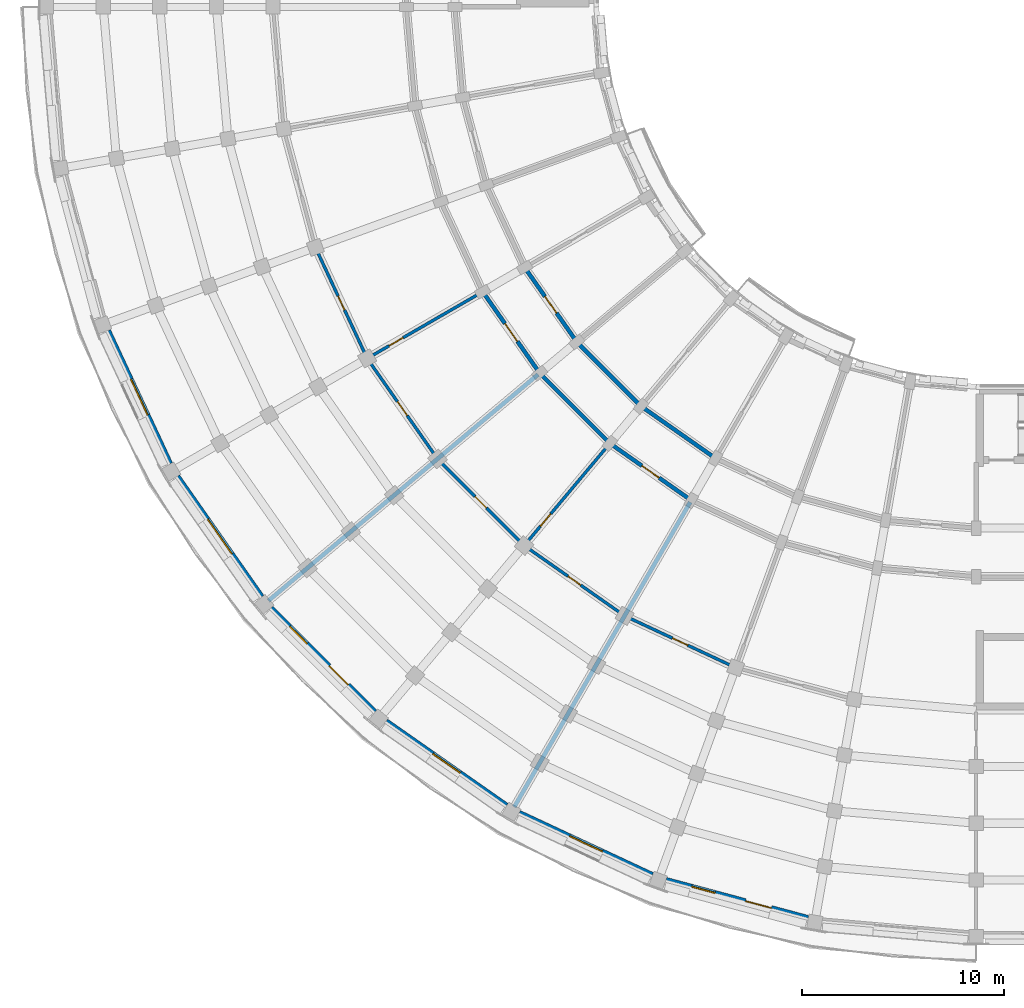
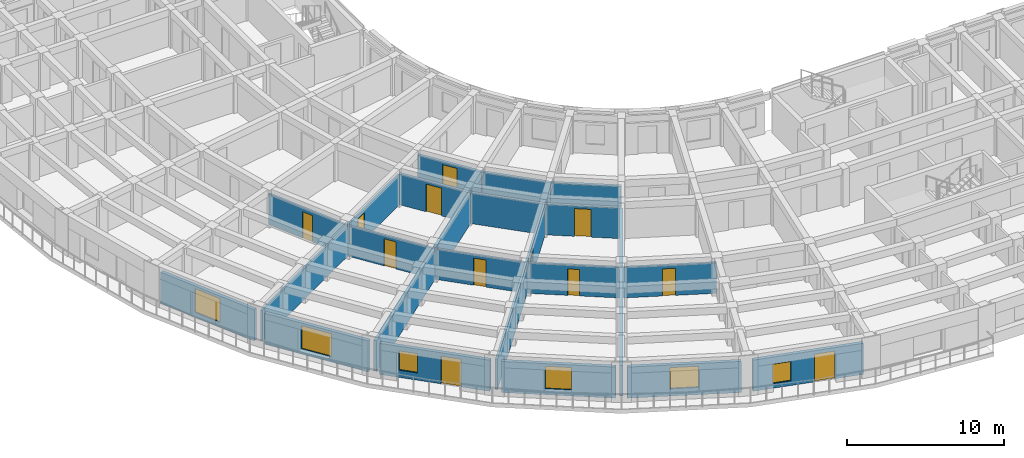
# One storey, part 15 of 57: 21 walls, 12 doors, 6 windows, 18 openings.
"""IFC4 building model written with IfcOpenShell, lengths in metres."""

from ifc_helpers import new_model, si_unit, direction, frame, frame_2d, origin, place, context, subcontext, project, spatial, rectangle, extrude, material, layer, layer_set, type_object, element, fill, save


model = new_model("IFC4")

# Units and contexts
model_context = context("Model", 3, precision=1e-05, world=origin(), true_north=direction((0.0, 1.0)))
body_context = subcontext(model_context, "Body", "Model", "MODEL_VIEW")
ifc_project = project(units=[si_unit("LENGTHUNIT", "METRE"), si_unit("AREAUNIT", "SQUARE_METRE"), si_unit("VOLUMEUNIT", "CUBIC_METRE"), si_unit("PLANEANGLEUNIT", "RADIAN"), si_unit("MASSUNIT", "GRAM", prefix="KILO")], contexts=[model_context])

# Site, building, storey
site_placement = place(None, origin())
site = spatial("IfcSite", under=ifc_project, at=site_placement, CompositionType="ELEMENT")
building_placement = place(site_placement, origin())
building = spatial("IfcBuilding", under=site, at=building_placement, Name="Kiranvali Square Residences", CompositionType="ELEMENT")
storey_placement = place(building_placement, frame((0.0, 0.0, 18.14990234375)))
storey = spatial("IfcBuildingStorey", under=building, at=storey_placement, Name="L05", CompositionType="ELEMENT", Elevation=18.14990234375)

# Wall
ifc_material_1 = material(Name="Autoclaved aerated concrete blockwork masonry", Category="masonry")
ifc_layer_1 = layer(ifc_material_1, 0.199951171875)
ifc_layer_set_1 = layer_set([ifc_layer_1], Name="Autoclaved aerated concrete blockwork masonry")
wall_type_1 = type_object("IfcWallType", Name="WL-COR-200", PredefinedType="STANDARD", material=ifc_layer_set_1)
wall_1_placement = place(storey_placement, frame((35.300048828125, 25.8564453125, 0.0), z_axis=(0.0, 0.0, 1.0), x_axis=(-0.819155404658, 0.573571637217, 0.0)))
element("IfcWall", 1, at=wall_1_placement, inside=storey, type_object=wall_type_1, Name="L05 architectural wall WL-L05-C-CCI-3", PredefinedType="STANDARD", context=body_context, shape_type="SweptSolid", body=[
    extrude(rectangle(XDim=4.497314453125, YDim=0.199951171875, at=frame_2d((2.24853515625, 0.0))), origin(), (0.0, 0.0, 1.0), 2.3720703125),
])

# Wall, opening, door
wall_2_placement = place(storey_placement, frame((34.10009765625, 23.778076171875, 0.0), z_axis=(0.0, 0.0, 1.0), x_axis=(-0.819140911474, 0.573592335331, 0.0)))
wall_2 = element("IfcWall", 2, at=wall_2_placement, inside=storey, type_object=wall_type_1, Name="L05 architectural wall WL-L05-C-CCO-3", PredefinedType="STANDARD", context=body_context, shape_type="SweptSolid", body=[
    extrude(rectangle(XDim=4.915771484375, YDim=0.199951171875, at=frame_2d((2.4580078125, 0.0))), origin(), (0.0, 0.0, 1.0), 2.3720703125),
])
opening_1_placement = place(wall_2_placement, frame((1.937744140625, 0.0, 0.0)))
opening_1 = element("IfcOpeningElement", 3, at=opening_1_placement, cuts=wall_2, Name="Opening FD-APT-60B", PredefinedType="OPENING", context=body_context, shape_type="SweptSolid", body=[
    extrude(rectangle(XDim=1.0400390625, YDim=2.14990234375, at=frame_2d((0.52001953125, 1.074951171875))), frame((0.0, 0.10986328125, 0.0), z_axis=(0.0, -1.0, 0.0), x_axis=(1.0, 0.0, 0.0)), (0.0, 0.0, 1.0), 0.219970703125),
])
ifc_material_2 = material(Name="Fire-rated acoustic hardwood and mineral-core door assembly", Category="wood")
door_type_1 = type_object("IfcDoorType", Name="DR-APT-1040", OperationType="NOTDEFINED", PredefinedType="DOOR", material=ifc_material_2)
door_1_placement = place(opening_1_placement, origin())
door_1 = element("IfcDoor", 4, at=door_1_placement, inside=storey, type_object=door_type_1, Name="L05 door DR-L05-2061 (DR-APT-1040)", OperationType="SINGLE_SWING_LEFT", OverallHeight=2.14990234375, OverallWidth=1.0400390625, PredefinedType="DOOR", context=body_context, shape_type="SweptSolid", body=[
    extrude(rectangle(XDim=1.0400390625, YDim=2.14990234375, at=frame_2d((0.52001953125, 1.074951171875))), frame((0.0, 0.02490234375, 0.0), z_axis=(0.0, -1.0, 0.0), x_axis=(1.0, 0.0, 0.0)), (0.0, 0.0, 1.0), 0.050048828125),
])
fill(opening_1, door_1)

# Walls
wall_3_placement = place(storey_placement, frame((31.615966796875, 28.43603515625, 0.0), z_axis=(0.0, 0.0, 1.0), x_axis=(-0.707106781187, 0.707106781187, 0.0)))
element("IfcWall", 5, at=wall_3_placement, inside=storey, type_object=wall_type_1, Name="L05 architectural wall WL-L05-C-CCI-4", PredefinedType="STANDARD", context=body_context, shape_type="SweptSolid", body=[
    extrude(rectangle(XDim=4.4970703125, YDim=0.199951171875, at=frame_2d((2.24853515625, 0.0))), origin(), (0.0, 0.0, 1.0), 2.3720703125),
])
wall_4_placement = place(storey_placement, frame((30.073486328125, 26.59765625, 0.0), z_axis=(0.0, 0.0, 1.0), x_axis=(-0.707106781187, 0.707106781187, 0.0)))
element("IfcWall", 6, at=wall_4_placement, inside=storey, type_object=wall_type_1, Name="L05 architectural wall WL-L05-C-CCO-4", PredefinedType="STANDARD", context=body_context, shape_type="SweptSolid", body=[
    extrude(rectangle(XDim=4.91552734375, YDim=0.199951171875, at=frame_2d((2.457763671875, 0.0))), origin(), (0.0, 0.0, 1.0), 2.3720703125),
])

# Wall, opening, door
wall_5_placement = place(storey_placement, frame((28.43603515625, 31.615966796875, 0.0), z_axis=(0.0, 0.0, 1.0), x_axis=(-0.573571637217, 0.819155404658, 0.0)))
wall_5 = element("IfcWall", 7, at=wall_5_placement, inside=storey, type_object=wall_type_1, Name="L05 architectural wall WL-L05-C-CCI-5", PredefinedType="STANDARD", context=body_context, shape_type="SweptSolid", body=[
    extrude(rectangle(XDim=4.497314453125, YDim=0.199951171875, at=frame_2d((2.24853515625, 0.0))), origin(), (0.0, 0.0, 1.0), 2.3720703125),
])
opening_2_placement = place(wall_5_placement, frame((1.74853515625, 0.0, 0.0)))
opening_2 = element("IfcOpeningElement", 8, at=opening_2_placement, cuts=wall_5, Name="Opening FD-APT-60", PredefinedType="OPENING", context=body_context, shape_type="SweptSolid", body=[
    extrude(rectangle(XDim=1.0, YDim=2.14990234375, at=frame_2d((0.5, 1.074951171875))), frame((0.0, 0.10986328125, 0.0), z_axis=(0.0, -1.0, 0.0), x_axis=(1.0, 0.0, 0.0)), (0.0, 0.0, 1.0), 0.219970703125),
])
door_type_2 = type_object("IfcDoorType", Name="DR-APT-1000", OperationType="NOTDEFINED", PredefinedType="DOOR", material=ifc_material_2)
door_2_placement = place(opening_2_placement, frame((1.0, 0.0, 0.0), z_axis=(0.0, 0.0, 1.0), x_axis=(-1.0, 0.0, 0.0)))
door_2 = element("IfcDoor", 9, at=door_2_placement, inside=storey, type_object=door_type_2, Name="L05 door DR-L05-2072 (DR-APT-1000)", OperationType="SINGLE_SWING_RIGHT", OverallHeight=2.14990234375, OverallWidth=1.0, PredefinedType="DOOR", context=body_context, shape_type="SweptSolid", body=[
    extrude(rectangle(XDim=1.0, YDim=2.14990234375, at=frame_2d((0.5, 1.074951171875))), frame((0.0, 0.02490234375, 0.0), z_axis=(0.0, -1.0, 0.0), x_axis=(1.0, 0.0, 0.0)), (0.0, 0.0, 1.0), 0.050048828125),
])
fill(opening_2, door_2)

wall_6_placement = place(storey_placement, frame((26.59765625, 30.073486328125, 0.0), z_axis=(0.0, 0.0, 1.0), x_axis=(-0.573592335331, 0.819140911474, 0.0)))
wall_6 = element("IfcWall", 10, at=wall_6_placement, inside=storey, type_object=wall_type_1, Name="L05 architectural wall WL-L05-C-CCO-5", PredefinedType="STANDARD", context=body_context, shape_type="SweptSolid", body=[
    extrude(rectangle(XDim=4.915771484375, YDim=0.199951171875, at=frame_2d((2.4580078125, 0.0))), origin(), (0.0, 0.0, 1.0), 2.3720703125),
])
opening_3_placement = place(wall_6_placement, frame((1.917724609375, 0.0, 0.0)))
opening_3 = element("IfcOpeningElement", 11, at=opening_3_placement, cuts=wall_6, Name="Opening FD-APT-60C", PredefinedType="OPENING", context=body_context, shape_type="SweptSolid", body=[
    extrude(rectangle(XDim=1.080078125, YDim=2.14990234375, at=frame_2d((0.5400390625, 1.074951171875))), frame((0.0, 0.10986328125, 0.0), z_axis=(0.0, -1.0, 0.0), x_axis=(1.0, 0.0, 0.0)), (0.0, 0.0, 1.0), 0.219970703125),
])
door_type_3 = type_object("IfcDoorType", Name="DR-APT-1080", OperationType="NOTDEFINED", PredefinedType="DOOR", material=ifc_material_2)
door_3_placement = place(opening_3_placement, frame((1.080078125, 0.0, 0.0), z_axis=(0.0, 0.0, 1.0), x_axis=(-1.0, 0.0, 0.0)))
door_3 = element("IfcDoor", 12, at=door_3_placement, inside=storey, type_object=door_type_3, Name="L05 door DR-L05-2064 (DR-APT-1080)", OperationType="SINGLE_SWING_RIGHT", OverallHeight=2.14990234375, OverallWidth=1.080078125, PredefinedType="DOOR", context=body_context, shape_type="SweptSolid", body=[
    extrude(rectangle(XDim=1.080078125, YDim=2.14990234375, at=frame_2d((0.5400390625, 1.074951171875))), frame((0.0, 0.02490234375, 0.0), z_axis=(0.0, -1.0, 0.0), x_axis=(1.0, 0.0, 0.0)), (0.0, 0.0, 1.0), 0.050048828125),
])
fill(opening_3, door_3)

# Walls
ifc_layer_2 = layer(ifc_material_1, 0.219970703125)
ifc_layer_set_2 = layer_set([ifc_layer_2], Name="Autoclaved aerated concrete blockwork masonry")
wall_type_2 = type_object("IfcWallType", Name="WL-DEM-220", PredefinedType="STANDARD", material=ifc_layer_set_2)
for number, where, z_axis, x_axis, name in (
    (13, (34.050048828125, 23.69140625, 0.0), (0.0, 0.0, 1.0), (-0.499997843263, -0.866026648973, 0.0), "L05 architectural wall WL-L05-C-RADO-3"),
    (14, (26.52099609375, 30.009033203125, 0.0), (0.0, 0.0, 1.0), (-0.766046835987, -0.642784757967, 0.0), "L05 architectural wall WL-L05-C-RADO-5"),
):
    element("IfcWall", number, at=place(storey_placement, frame(where, z_axis=z_axis, x_axis=x_axis)), inside=storey, type_object=wall_type_2, Name=name, PredefinedType="STANDARD", context=body_context, shape_type="SweptSolid", body=[
        extrude(rectangle(XDim=17.419921875, YDim=0.219970703125, at=frame_2d((8.7099609375, 0.0))), origin(), (0.0, 0.0, 1.0), 2.3720703125),
    ])

# Wall, openings, door, window
ifc_material_3 = material(Name="Breathable lime-rendered clay brick masonry", Category="masonry")
ifc_layer_3 = layer(ifc_material_3, 0.25)
ifc_layer_set_3 = layer_set([ifc_layer_3], Name="Breathable lime-rendered clay brick masonry")
wall_type_3 = type_object("IfcWallType", Name="WL-EXT-250", PredefinedType="STANDARD", material=ifc_layer_set_3)
wall_7_placement = place(storey_placement, frame((39.881591796875, 3.116943359375, 0.0), z_axis=(0.0, 0.0, 1.0), x_axis=(-0.965930355787, 0.258802140196, 0.0)))
wall_7 = element("IfcWall", 15, at=wall_7_placement, inside=storey, type_object=wall_type_3, Name="L05 exterior wall C-L05-CRV-01", PredefinedType="STANDARD", context=body_context, shape_type="SweptSolid", body=[
    extrude(rectangle(XDim=7.2666015625, YDim=0.25, at=frame_2d((3.63330078125, 0.0))), origin(), (0.0, 0.0, 1.0), 2.412109375),
])
opening_4_placement = place(wall_7_placement, frame((4.765625, 0.0, 0.362060546875)))
opening_4 = element("IfcOpeningElement", 16, at=opening_4_placement, cuts=wall_7, Name="Opening W-06", PredefinedType="OPENING", context=body_context, shape_type="SweptSolid", body=[
    extrude(rectangle(XDim=1.199951171875, YDim=1.5, at=frame_2d((0.60009765625, 0.75))), frame((0.0, 0.135009765625, 0.0), z_axis=(0.0, -1.0, 0.0), x_axis=(1.0, 0.0, 0.0)), (0.0, 0.0, 1.0), 0.27001953125),
])
opening_5_placement = place(wall_7_placement, frame((1.88330078125, 0.0, 0.0)))
opening_5 = element("IfcOpeningElement", 17, at=opening_5_placement, cuts=wall_7, Name="Opening ED-BAL-3", PredefinedType="OPENING", context=body_context, shape_type="SweptSolid", body=[
    extrude(rectangle(XDim=1.320068359375, YDim=2.14990234375, at=frame_2d((0.66015625, 1.074951171875))), frame((0.0, 0.135009765625, 0.0), z_axis=(0.0, -1.0, 0.0), x_axis=(1.0, 0.0, 0.0)), (0.0, 0.0, 1.0), 0.27001953125),
])
ifc_material_4 = material(Name="Anodised bronze aluminium framing", Category="aluminium")
door_type_4 = type_object("IfcDoorType", Name="DR-BAL-1320", OperationType="NOTDEFINED", PredefinedType="DOOR", material=ifc_material_4)
door_4_placement = place(opening_5_placement, origin())
door_4 = element("IfcDoor", 18, at=door_4_placement, inside=storey, type_object=door_type_4, Name="L05 balcony terrace door", OperationType="SINGLE_SWING_LEFT", OverallHeight=2.14990234375, OverallWidth=1.320068359375, PredefinedType="DOOR", context=body_context, shape_type="SweptSolid", body=[
    extrude(rectangle(XDim=1.320068359375, YDim=2.14990234375, at=frame_2d((0.66015625, 1.074951171875))), frame((0.0, 0.02490234375, 0.0), z_axis=(0.0, -1.0, 0.0), x_axis=(1.0, 0.0, 0.0)), (0.0, 0.0, 1.0), 0.050048828125),
])
fill(opening_5, door_4)
ifc_material_5 = material(Name="Solar-control low-e double glazing", Category="glass")
window_type_1 = type_object("IfcWindowType", Name="WIN-RES-1200x1500", PartitioningType="SINGLE_PANEL", PredefinedType="WINDOW", material=ifc_material_5)
window_1_placement = place(opening_4_placement, origin())
window_1 = element("IfcWindow", 19, at=window_1_placement, inside=storey, type_object=window_type_1, Name="L05 recessed window C-L05-CRV-01", OverallHeight=1.5, OverallWidth=1.199951171875, PartitioningType="SINGLE_PANEL", PredefinedType="WINDOW", context=body_context, shape_type="SweptSolid", body=[
    extrude(rectangle(XDim=1.199951171875, YDim=1.5, at=frame_2d((0.60009765625, 0.75))), frame((0.0, 0.030029296875, 0.0), z_axis=(0.0, -1.0, 0.0), x_axis=(1.0, 0.0, 0.0)), (0.0, 0.0, 1.0), 0.06005859375),
])
fill(opening_4, window_1)

# Wall, opening, window
wall_8_placement = place(storey_placement, frame((32.17919921875, 5.246337890625, 0.0), z_axis=(0.0, 0.0, 1.0), x_axis=(-0.90630327107, 0.422627946127, 0.0)))
wall_8 = element("IfcWall", 20, at=wall_8_placement, inside=storey, type_object=wall_type_3, Name="L05 exterior wall C-L05-CRV-02", PredefinedType="STANDARD", context=body_context, shape_type="SweptSolid", body=[
    extrude(rectangle(XDim=7.2666015625, YDim=0.25, at=frame_2d((3.63330078125, 0.0))), origin(), (0.0, 0.0, 1.0), 2.412109375),
])
opening_6_placement = place(wall_8_placement, frame((2.7333984375, 0.0, 0.56201171875)))
opening_6 = element("IfcOpeningElement", 21, at=opening_6_placement, cuts=wall_8, Name="Opening W-04", PredefinedType="OPENING", context=body_context, shape_type="SweptSolid", body=[
    extrude(rectangle(XDim=1.800048828125, YDim=1.64990234375, at=frame_2d((0.89990234375, 0.824951171875))), frame((0.0, 0.135009765625, 0.0), z_axis=(0.0, -1.0, 0.0), x_axis=(1.0, 0.0, 0.0)), (0.0, 0.0, 1.0), 0.27001953125),
])
window_type_2 = type_object("IfcWindowType", Name="WIN-RES-1800x1650", PartitioningType="DOUBLE_PANEL_VERTICAL", PredefinedType="WINDOW", material=ifc_material_5)
window_2_placement = place(opening_6_placement, origin())
window_2 = element("IfcWindow", 22, at=window_2_placement, inside=storey, type_object=window_type_2, Name="L05 recessed window C-L05-CRV-02", OverallHeight=1.64990234375, OverallWidth=1.800048828125, PartitioningType="DOUBLE_PANEL_VERTICAL", PredefinedType="WINDOW", context=body_context, shape_type="SweptSolid", body=[
    extrude(rectangle(XDim=1.800048828125, YDim=1.64990234375, at=frame_2d((0.89990234375, 0.824951171875))), frame((0.0, 0.030029296875, 0.0), z_axis=(0.0, -1.0, 0.0), x_axis=(1.0, 0.0, 0.0)), (0.0, 0.0, 1.0), 0.06005859375),
])
fill(opening_6, window_2)

wall_9_placement = place(storey_placement, frame((24.9638671875, 8.680908203125, 0.0), z_axis=(0.0, 0.0, 1.0), x_axis=(-0.819159308599, 0.573566061701, 0.0)))
wall_9 = element("IfcWall", 23, at=wall_9_placement, inside=storey, type_object=wall_type_3, Name="L05 exterior wall C-L05-CRV-03", PredefinedType="STANDARD", context=body_context, shape_type="SweptSolid", body=[
    extrude(rectangle(XDim=7.266845703125, YDim=0.25, at=frame_2d((3.63330078125, 0.0))), origin(), (0.0, 0.0, 1.0), 2.412109375),
])
opening_7_placement = place(wall_9_placement, frame((2.808349609375, 0.0, 0.4619140625)))
opening_7 = element("IfcOpeningElement", 24, at=opening_7_placement, cuts=wall_9, Name="Opening W-13", PredefinedType="OPENING", context=body_context, shape_type="SweptSolid", body=[
    extrude(rectangle(XDim=1.64990234375, YDim=1.75, at=frame_2d((0.824951171875, 0.875))), frame((0.0, 0.135009765625, 0.0), z_axis=(0.0, -1.0, 0.0), x_axis=(1.0, 0.0, 0.0)), (0.0, 0.0, 1.0), 0.27001953125),
])
window_type_3 = type_object("IfcWindowType", Name="WIN-RES-1650x1750", PartitioningType="DOUBLE_PANEL_VERTICAL", PredefinedType="WINDOW", material=ifc_material_5)
window_3_placement = place(opening_7_placement, origin())
window_3 = element("IfcWindow", 25, at=window_3_placement, inside=storey, type_object=window_type_3, Name="L05 recessed window C-L05-CRV-03", OverallHeight=1.75, OverallWidth=1.64990234375, PartitioningType="DOUBLE_PANEL_VERTICAL", PredefinedType="WINDOW", context=body_context, shape_type="SweptSolid", body=[
    extrude(rectangle(XDim=1.64990234375, YDim=1.75, at=frame_2d((0.824951171875, 0.875))), frame((0.0, 0.030029296875, 0.0), z_axis=(0.0, -1.0, 0.0), x_axis=(1.0, 0.0, 0.0)), (0.0, 0.0, 1.0), 0.06005859375),
])
fill(opening_7, window_3)

# Wall, openings, door, window
wall_10_placement = place(storey_placement, frame((18.454345703125, 13.316162109375, 0.0), z_axis=(0.0, 0.0, 1.0), x_axis=(-0.707106781187, 0.707106781187, 0.0)))
wall_10 = element("IfcWall", 26, at=wall_10_placement, inside=storey, type_object=wall_type_3, Name="L05 exterior wall C-L05-CRV-04", PredefinedType="STANDARD", context=body_context, shape_type="SweptSolid", body=[
    extrude(rectangle(XDim=7.2666015625, YDim=0.25, at=frame_2d((3.63330078125, 0.0))), origin(), (0.0, 0.0, 1.0), 2.412109375),
])
opening_8_placement = place(wall_10_placement, frame((4.765625, 0.0, 0.56201171875)))
opening_8 = element("IfcOpeningElement", 27, at=opening_8_placement, cuts=wall_10, Name="Opening W-06", PredefinedType="OPENING", context=body_context, shape_type="SweptSolid", body=[
    extrude(rectangle(XDim=1.199951171875, YDim=1.5, at=frame_2d((0.60009765625, 0.75))), frame((0.0, 0.135009765625, 0.0), z_axis=(0.0, -1.0, 0.0), x_axis=(1.0, 0.0, 0.0)), (0.0, 0.0, 1.0), 0.27001953125),
])
opening_9_placement = place(wall_10_placement, frame((1.88330078125, 0.0, 0.0)))
opening_9 = element("IfcOpeningElement", 28, at=opening_9_placement, cuts=wall_10, Name="Opening ED-BAL-3", PredefinedType="OPENING", context=body_context, shape_type="SweptSolid", body=[
    extrude(rectangle(XDim=1.320068359375, YDim=2.14990234375, at=frame_2d((0.66015625, 1.074951171875))), frame((0.0, 0.135009765625, 0.0), z_axis=(0.0, -1.0, 0.0), x_axis=(1.0, 0.0, 0.0)), (0.0, 0.0, 1.0), 0.27001953125),
])
door_5_placement = place(opening_9_placement, origin())
door_5 = element("IfcDoor", 29, at=door_5_placement, inside=storey, type_object=door_type_4, Name="L05 balcony terrace door", OperationType="SINGLE_SWING_RIGHT", OverallHeight=2.14990234375, OverallWidth=1.320068359375, PredefinedType="DOOR", context=body_context, shape_type="SweptSolid", body=[
    extrude(rectangle(XDim=1.320068359375, YDim=2.14990234375, at=frame_2d((0.66015625, 1.074951171875))), frame((0.0, 0.02490234375, 0.0), z_axis=(0.0, -1.0, 0.0), x_axis=(1.0, 0.0, 0.0)), (0.0, 0.0, 1.0), 0.050048828125),
])
fill(opening_9, door_5)
window_4_placement = place(opening_8_placement, origin())
window_4 = element("IfcWindow", 30, at=window_4_placement, inside=storey, type_object=window_type_1, Name="L05 recessed window C-L05-CRV-04", OverallHeight=1.5, OverallWidth=1.199951171875, PartitioningType="SINGLE_PANEL", PredefinedType="WINDOW", context=body_context, shape_type="SweptSolid", body=[
    extrude(rectangle(XDim=1.199951171875, YDim=1.5, at=frame_2d((0.60009765625, 0.75))), frame((0.0, 0.030029296875, 0.0), z_axis=(0.0, -1.0, 0.0), x_axis=(1.0, 0.0, 0.0)), (0.0, 0.0, 1.0), 0.06005859375),
])
fill(opening_8, window_4)

# Wall, opening, window
wall_11_placement = place(storey_placement, frame((12.848876953125, 19.01123046875, 0.0), z_axis=(0.0, 0.0, 1.0), x_axis=(-0.573566061701, 0.819159308599, 0.0)))
wall_11 = element("IfcWall", 31, at=wall_11_placement, inside=storey, type_object=wall_type_3, Name="L05 exterior wall C-L05-CRV-05", PredefinedType="STANDARD", context=body_context, shape_type="SweptSolid", body=[
    extrude(rectangle(XDim=7.266845703125, YDim=0.25, at=frame_2d((3.63330078125, 0.0))), origin(), (0.0, 0.0, 1.0), 2.412109375),
])
opening_10_placement = place(wall_11_placement, frame((2.583251953125, 0.0, 0.412109375)))
opening_10 = element("IfcOpeningElement", 32, at=opening_10_placement, cuts=wall_11, Name="Opening W-03", PredefinedType="OPENING", context=body_context, shape_type="SweptSolid", body=[
    extrude(rectangle(XDim=2.10009765625, YDim=1.800048828125, at=frame_2d((1.050048828125, 0.89990234375))), frame((0.0, 0.135009765625, 0.0), z_axis=(0.0, -1.0, 0.0), x_axis=(1.0, 0.0, 0.0)), (0.0, 0.0, 1.0), 0.27001953125),
])
window_type_4 = type_object("IfcWindowType", Name="WIN-RES-2100x1800", PartitioningType="TRIPLE_PANEL_VERTICAL", PredefinedType="WINDOW", material=ifc_material_5)
window_5_placement = place(opening_10_placement, origin())
window_5 = element("IfcWindow", 33, at=window_5_placement, inside=storey, type_object=window_type_4, Name="L05 recessed window C-L05-CRV-05", OverallHeight=1.800048828125, OverallWidth=2.10009765625, PartitioningType="TRIPLE_PANEL_VERTICAL", PredefinedType="WINDOW", context=body_context, shape_type="SweptSolid", body=[
    extrude(rectangle(XDim=2.10009765625, YDim=1.800048828125, at=frame_2d((1.050048828125, 0.89990234375))), frame((0.0, 0.030029296875, 0.0), z_axis=(0.0, -1.0, 0.0), x_axis=(1.0, 0.0, 0.0)), (0.0, 0.0, 1.0), 0.06005859375),
])
fill(opening_10, window_5)

wall_12_placement = place(storey_placement, frame((8.3173828125, 25.593505859375, 0.0), z_axis=(0.0, 0.0, 1.0), x_axis=(-0.422627946127, 0.90630327107, 0.0)))
wall_12 = element("IfcWall", 34, at=wall_12_placement, inside=storey, type_object=wall_type_3, Name="L05 exterior wall C-L05-CRV-06", PredefinedType="STANDARD", context=body_context, shape_type="SweptSolid", body=[
    extrude(rectangle(XDim=7.2666015625, YDim=0.25, at=frame_2d((3.63330078125, 0.0))), origin(), (0.0, 0.0, 1.0), 2.412109375),
])
opening_11_placement = place(wall_12_placement, frame((2.658447265625, 0.0, 0.362060546875)))
opening_11 = element("IfcOpeningElement", 35, at=opening_11_placement, cuts=wall_12, Name="Opening W-12", PredefinedType="OPENING", context=body_context, shape_type="SweptSolid", body=[
    extrude(rectangle(XDim=1.949951171875, YDim=1.85009765625, at=frame_2d((0.97509765625, 0.925048828125))), frame((0.0, 0.135009765625, 0.0), z_axis=(0.0, -1.0, 0.0), x_axis=(1.0, 0.0, 0.0)), (0.0, 0.0, 1.0), 0.27001953125),
])
window_type_5 = type_object("IfcWindowType", Name="WIN-RES-1950x1850", PartitioningType="DOUBLE_PANEL_VERTICAL", PredefinedType="WINDOW", material=ifc_material_5)
window_6_placement = place(opening_11_placement, origin())
window_6 = element("IfcWindow", 36, at=window_6_placement, inside=storey, type_object=window_type_5, Name="L05 recessed window C-L05-CRV-06", OverallHeight=1.85009765625, OverallWidth=1.949951171875, PartitioningType="DOUBLE_PANEL_VERTICAL", PredefinedType="WINDOW", context=body_context, shape_type="SweptSolid", body=[
    extrude(rectangle(XDim=1.949951171875, YDim=1.85009765625, at=frame_2d((0.97509765625, 0.925048828125))), frame((0.0, 0.030029296875, 0.0), z_axis=(0.0, -1.0, 0.0), x_axis=(1.0, 0.0, 0.0)), (0.0, 0.0, 1.0), 0.06005859375),
])
fill(opening_11, window_6)

# Wall, opening, door
ifc_material_6 = material(Name="Acoustic gypsum board drylined partition", Category="gypsum")
ifc_layer_4 = layer(ifc_material_6, 0.14990234375)
ifc_layer_set_4 = layer_set([ifc_layer_4], Name="Acoustic gypsum board drylined partition")
wall_type_4 = type_object("IfcWallType", Name="WL-PRT-150", PredefinedType="PARTITIONING", material=ifc_layer_set_4)
wall_13_placement = place(storey_placement, frame((30.009033203125, 26.52099609375, 0.0), z_axis=(0.0, 0.0, 1.0), x_axis=(-0.642784757967, -0.766046835987, 0.0)))
wall_13 = element("IfcWall", 37, at=wall_13_placement, inside=storey, type_object=wall_type_4, Name="L05 architectural wall WL-L05-C-RADO-4", PredefinedType="PARTITIONING", context=body_context, shape_type="SweptSolid", body=[
    extrude(rectangle(XDim=17.419921875, YDim=0.14990234375, at=frame_2d((8.7099609375, 0.0))), origin(), (0.0, 0.0, 1.0), 2.3720703125),
])
opening_12_placement = place(wall_13_placement, frame((4.44970703125, 0.0, 0.0)))
opening_12 = element("IfcOpeningElement", 38, at=opening_12_placement, cuts=wall_13, Name="Opening ID-WET", PredefinedType="OPENING", context=body_context, shape_type="SweptSolid", body=[
    extrude(rectangle(XDim=0.800048828125, YDim=2.10009765625, at=frame_2d((0.39990234375, 1.050048828125))), frame((0.0, 0.0849609375, 0.0), z_axis=(0.0, -1.0, 0.0), x_axis=(1.0, 0.0, 0.0)), (0.0, 0.0, 1.0), 0.169921875),
])
ifc_material_7 = material(Name="Solid seasoned teak hardwood joinery", Category="wood")
door_type_5 = type_object("IfcDoorType", Name="DR-WET-800", OperationType="NOTDEFINED", PredefinedType="DOOR", material=ifc_material_7)
door_6_placement = place(opening_12_placement, frame((0.800048828125, 0.0, 0.0), z_axis=(0.0, 0.0, 1.0), x_axis=(-1.0, 0.0, 0.0)))
door_6 = element("IfcDoor", 39, at=door_6_placement, inside=storey, type_object=door_type_5, Name="L05 door DR-L05-2052 (DR-WET-800)", OperationType="SINGLE_SWING_RIGHT", OverallHeight=2.10009765625, OverallWidth=0.800048828125, PredefinedType="DOOR", context=body_context, shape_type="SweptSolid", body=[
    extrude(rectangle(XDim=0.800048828125, YDim=2.10009765625, at=frame_2d((0.39990234375, 1.050048828125))), frame((0.0, 0.02490234375, 0.0), z_axis=(0.0, -1.0, 0.0), x_axis=(1.0, 0.0, 0.0)), (0.0, 0.0, 1.0), 0.050048828125),
])
fill(opening_12, door_6)

wall_14_placement = place(storey_placement, frame((23.69140625, 34.050048828125, 0.0), z_axis=(0.0, 0.0, 1.0), x_axis=(-0.866026648973, -0.499997843263, 0.0)))
wall_14 = element("IfcWall", 40, at=wall_14_placement, inside=storey, type_object=wall_type_4, Name="L05 architectural wall WL-L05-C-RADO-6", PredefinedType="PARTITIONING", context=body_context, shape_type="SweptSolid", body=[
    extrude(rectangle(XDim=17.419921875, YDim=0.14990234375, at=frame_2d((8.7099609375, 0.0))), origin(), (0.0, 0.0, 1.0), 2.3720703125),
])
opening_13_placement = place(wall_14_placement, frame((4.44970703125, 0.0, 0.0)))
opening_13 = element("IfcOpeningElement", 41, at=opening_13_placement, cuts=wall_14, Name="Opening ID-WET", PredefinedType="OPENING", context=body_context, shape_type="SweptSolid", body=[
    extrude(rectangle(XDim=0.800048828125, YDim=2.10009765625, at=frame_2d((0.39990234375, 1.050048828125))), frame((0.0, 0.0849609375, 0.0), z_axis=(0.0, -1.0, 0.0), x_axis=(1.0, 0.0, 0.0)), (0.0, 0.0, 1.0), 0.169921875),
])
door_7_placement = place(opening_13_placement, frame((0.800048828125, 0.0, 0.0), z_axis=(0.0, 0.0, 1.0), x_axis=(-1.0, 0.0, 0.0)))
door_7 = element("IfcDoor", 42, at=door_7_placement, inside=storey, type_object=door_type_5, Name="L05 door DR-L05-2054 (DR-WET-800)", OperationType="SINGLE_SWING_RIGHT", OverallHeight=2.10009765625, OverallWidth=0.800048828125, PredefinedType="DOOR", context=body_context, shape_type="SweptSolid", body=[
    extrude(rectangle(XDim=0.800048828125, YDim=2.10009765625, at=frame_2d((0.39990234375, 1.050048828125))), frame((0.0, 0.02490234375, 0.0), z_axis=(0.0, -1.0, 0.0), x_axis=(1.0, 0.0, 0.0)), (0.0, 0.0, 1.0), 0.050048828125),
])
fill(opening_13, door_7)

ifc_layer_5 = layer(ifc_material_1, 0.14990234375)
ifc_layer_set_5 = layer_set([ifc_layer_5], Name="Autoclaved aerated concrete blockwork masonry")
wall_type_5 = type_object("IfcWallType", Name="WL-WET-150", PredefinedType="PLUMBINGWALL", material=ifc_layer_set_5)
wall_15_placement = place(storey_placement, frame((36.297607421875, 15.498779296875, 0.0), z_axis=(0.0, 0.0, 1.0), x_axis=(-0.906312656069, 0.42260781991, 0.0)))
wall_15 = element("IfcWall", 43, at=wall_15_placement, inside=storey, type_object=wall_type_5, Name="L05 architectural wall WL-L05-C-CWET-2", PredefinedType="PLUMBINGWALL", context=body_context, shape_type="SweptSolid", body=[
    extrude(rectangle(XDim=6.06591796875, YDim=0.14990234375, at=frame_2d((3.032958984375, 0.0))), origin(), (0.0, 0.0, 1.0), 2.3720703125),
])
opening_14_placement = place(wall_15_placement, frame((2.613037109375, 0.0, 0.0)))
opening_14 = element("IfcOpeningElement", 44, at=opening_14_placement, cuts=wall_15, Name="Opening ID-WET2", PredefinedType="OPENING", context=body_context, shape_type="SweptSolid", body=[
    extrude(rectangle(XDim=0.840087890625, YDim=2.10009765625, at=frame_2d((0.419921875, 1.050048828125))), frame((0.0, 0.0849609375, 0.0), z_axis=(0.0, -1.0, 0.0), x_axis=(1.0, 0.0, 0.0)), (0.0, 0.0, 1.0), 0.169921875),
])
door_type_6 = type_object("IfcDoorType", Name="DR-WET-840", OperationType="NOTDEFINED", PredefinedType="DOOR", material=ifc_material_7)
door_8_placement = place(opening_14_placement, frame((0.840087890625, 0.0, 0.0), z_axis=(0.0, 0.0, 1.0), x_axis=(-1.0, 0.0, 0.0)))
door_8 = element("IfcDoor", 45, at=door_8_placement, inside=storey, type_object=door_type_6, Name="L05 door DR-L05-2060 (DR-WET-840)", OperationType="SINGLE_SWING_RIGHT", OverallHeight=2.10009765625, OverallWidth=0.840087890625, PredefinedType="DOOR", context=body_context, shape_type="SweptSolid", body=[
    extrude(rectangle(XDim=0.840087890625, YDim=2.10009765625, at=frame_2d((0.419921875, 1.050048828125))), frame((0.0, 0.02490234375, 0.0), z_axis=(0.0, -1.0, 0.0), x_axis=(1.0, 0.0, 0.0)), (0.0, 0.0, 1.0), 0.050048828125),
])
fill(opening_14, door_8)

wall_16_placement = place(storey_placement, frame((30.800048828125, 18.062255859375, 0.0), z_axis=(0.0, 0.0, 1.0), x_axis=(-0.81913926159, 0.573594691504, 0.0)))
wall_16 = element("IfcWall", 46, at=wall_16_placement, inside=storey, type_object=wall_type_5, Name="L05 architectural wall WL-L05-C-CWET-3", PredefinedType="PLUMBINGWALL", context=body_context, shape_type="SweptSolid", body=[
    extrude(rectangle(XDim=6.066162109375, YDim=0.14990234375, at=frame_2d((3.033203125, 0.0))), origin(), (0.0, 0.0, 1.0), 2.3720703125),
])
opening_15_placement = place(wall_16_placement, frame((2.653076171875, 0.0, 0.0)))
opening_15 = element("IfcOpeningElement", 47, at=opening_15_placement, cuts=wall_16, Name="Opening ID-WET0", PredefinedType="OPENING", context=body_context, shape_type="SweptSolid", body=[
    extrude(rectangle(XDim=0.760009765625, YDim=2.050048828125, at=frame_2d((0.3798828125, 1.02490234375))), frame((0.0, 0.0849609375, 0.0), z_axis=(0.0, -1.0, 0.0), x_axis=(1.0, 0.0, 0.0)), (0.0, 0.0, 1.0), 0.169921875),
])
door_type_7 = type_object("IfcDoorType", Name="DR-WET-760", OperationType="NOTDEFINED", PredefinedType="DOOR", material=ifc_material_7)
door_9_placement = place(opening_15_placement, frame((0.760009765625, 0.0, 0.0), z_axis=(0.0, 0.0, 1.0), x_axis=(-1.0, 0.0, 0.0)))
door_9 = element("IfcDoor", 48, at=door_9_placement, inside=storey, type_object=door_type_7, Name="L05 door DR-L05-2062 (DR-WET-760)", OperationType="SINGLE_SWING_RIGHT", OverallHeight=2.050048828125, OverallWidth=0.760009765625, PredefinedType="DOOR", context=body_context, shape_type="SweptSolid", body=[
    extrude(rectangle(XDim=0.760009765625, YDim=2.050048828125, at=frame_2d((0.3798828125, 1.02490234375))), frame((0.0, 0.02490234375, 0.0), z_axis=(0.0, -1.0, 0.0), x_axis=(1.0, 0.0, 0.0)), (0.0, 0.0, 1.0), 0.050048828125),
])
fill(opening_15, door_9)

wall_17_placement = place(storey_placement, frame((25.8310546875, 21.541748046875, 0.0), z_axis=(0.0, 0.0, 1.0), x_axis=(-0.707106781187, 0.707106781187, 0.0)))
wall_17 = element("IfcWall", 49, at=wall_17_placement, inside=storey, type_object=wall_type_5, Name="L05 architectural wall WL-L05-C-CWET-4", PredefinedType="PLUMBINGWALL", context=body_context, shape_type="SweptSolid", body=[
    extrude(rectangle(XDim=6.06591796875, YDim=0.14990234375, at=frame_2d((3.032958984375, 0.0))), origin(), (0.0, 0.0, 1.0), 2.3720703125),
])
opening_16_placement = place(wall_17_placement, frame((2.633056640625, 0.0, 0.0)))
opening_16 = element("IfcOpeningElement", 50, at=opening_16_placement, cuts=wall_17, Name="Opening ID-WET", PredefinedType="OPENING", context=body_context, shape_type="SweptSolid", body=[
    extrude(rectangle(XDim=0.800048828125, YDim=2.10009765625, at=frame_2d((0.39990234375, 1.050048828125))), frame((0.0, 0.0849609375, 0.0), z_axis=(0.0, -1.0, 0.0), x_axis=(1.0, 0.0, 0.0)), (0.0, 0.0, 1.0), 0.169921875),
])
door_10_placement = place(opening_16_placement, origin())
door_10 = element("IfcDoor", 51, at=door_10_placement, inside=storey, type_object=door_type_5, Name="L05 door DR-L05-2063 (DR-WET-800)", OperationType="SINGLE_SWING_LEFT", OverallHeight=2.10009765625, OverallWidth=0.800048828125, PredefinedType="DOOR", context=body_context, shape_type="SweptSolid", body=[
    extrude(rectangle(XDim=0.800048828125, YDim=2.10009765625, at=frame_2d((0.39990234375, 1.050048828125))), frame((0.0, 0.02490234375, 0.0), z_axis=(0.0, -1.0, 0.0), x_axis=(1.0, 0.0, 0.0)), (0.0, 0.0, 1.0), 0.050048828125),
])
fill(opening_16, door_10)

wall_18_placement = place(storey_placement, frame((21.541748046875, 25.8310546875, 0.0), z_axis=(0.0, 0.0, 1.0), x_axis=(-0.573594691504, 0.81913926159, 0.0)))
wall_18 = element("IfcWall", 52, at=wall_18_placement, inside=storey, type_object=wall_type_5, Name="L05 architectural wall WL-L05-C-CWET-5", PredefinedType="PLUMBINGWALL", context=body_context, shape_type="SweptSolid", body=[
    extrude(rectangle(XDim=6.066162109375, YDim=0.14990234375, at=frame_2d((3.033203125, 0.0))), origin(), (0.0, 0.0, 1.0), 2.3720703125),
])
opening_17_placement = place(wall_18_placement, frame((2.613037109375, 0.0, 0.0)))
opening_17 = element("IfcOpeningElement", 53, at=opening_17_placement, cuts=wall_18, Name="Opening ID-WET2", PredefinedType="OPENING", context=body_context, shape_type="SweptSolid", body=[
    extrude(rectangle(XDim=0.840087890625, YDim=2.10009765625, at=frame_2d((0.419921875, 1.050048828125))), frame((0.0, 0.0849609375, 0.0), z_axis=(0.0, -1.0, 0.0), x_axis=(1.0, 0.0, 0.0)), (0.0, 0.0, 1.0), 0.169921875),
])
door_11_placement = place(opening_17_placement, origin())
door_11 = element("IfcDoor", 54, at=door_11_placement, inside=storey, type_object=door_type_6, Name="L05 door DR-L05-2065 (DR-WET-840)", OperationType="SINGLE_SWING_LEFT", OverallHeight=2.10009765625, OverallWidth=0.840087890625, PredefinedType="DOOR", context=body_context, shape_type="SweptSolid", body=[
    extrude(rectangle(XDim=0.840087890625, YDim=2.10009765625, at=frame_2d((0.419921875, 1.050048828125))), frame((0.0, 0.02490234375, 0.0), z_axis=(0.0, -1.0, 0.0), x_axis=(1.0, 0.0, 0.0)), (0.0, 0.0, 1.0), 0.050048828125),
])
fill(opening_17, door_11)

wall_19_placement = place(storey_placement, frame((18.062255859375, 30.800048828125, 0.0), z_axis=(0.0, 0.0, 1.0), x_axis=(-0.42260781991, 0.906312656069, 0.0)))
wall_19 = element("IfcWall", 55, at=wall_19_placement, inside=storey, type_object=wall_type_5, Name="L05 architectural wall WL-L05-C-CWET-6", PredefinedType="PLUMBINGWALL", context=body_context, shape_type="SweptSolid", body=[
    extrude(rectangle(XDim=6.06591796875, YDim=0.14990234375, at=frame_2d((3.032958984375, 0.0))), origin(), (0.0, 0.0, 1.0), 2.3720703125),
])
opening_18_placement = place(wall_19_placement, frame((2.653076171875, 0.0, 0.0)))
opening_18 = element("IfcOpeningElement", 56, at=opening_18_placement, cuts=wall_19, Name="Opening ID-WET0", PredefinedType="OPENING", context=body_context, shape_type="SweptSolid", body=[
    extrude(rectangle(XDim=0.760009765625, YDim=2.050048828125, at=frame_2d((0.3798828125, 1.02490234375))), frame((0.0, 0.0849609375, 0.0), z_axis=(0.0, -1.0, 0.0), x_axis=(1.0, 0.0, 0.0)), (0.0, 0.0, 1.0), 0.169921875),
])
door_12_placement = place(opening_18_placement, frame((0.760009765625, 0.0, 0.0), z_axis=(0.0, 0.0, 1.0), x_axis=(-1.0, 0.0, 0.0)))
door_12 = element("IfcDoor", 57, at=door_12_placement, inside=storey, type_object=door_type_7, Name="L05 door DR-L05-2066 (DR-WET-760)", OperationType="SINGLE_SWING_RIGHT", OverallHeight=2.050048828125, OverallWidth=0.760009765625, PredefinedType="DOOR", context=body_context, shape_type="SweptSolid", body=[
    extrude(rectangle(XDim=0.760009765625, YDim=2.050048828125, at=frame_2d((0.3798828125, 1.02490234375))), frame((0.0, 0.02490234375, 0.0), z_axis=(0.0, -1.0, 0.0), x_axis=(1.0, 0.0, 0.0)), (0.0, 0.0, 1.0), 0.050048828125),
])
fill(opening_18, door_12)

save(model, "model.ifc")
